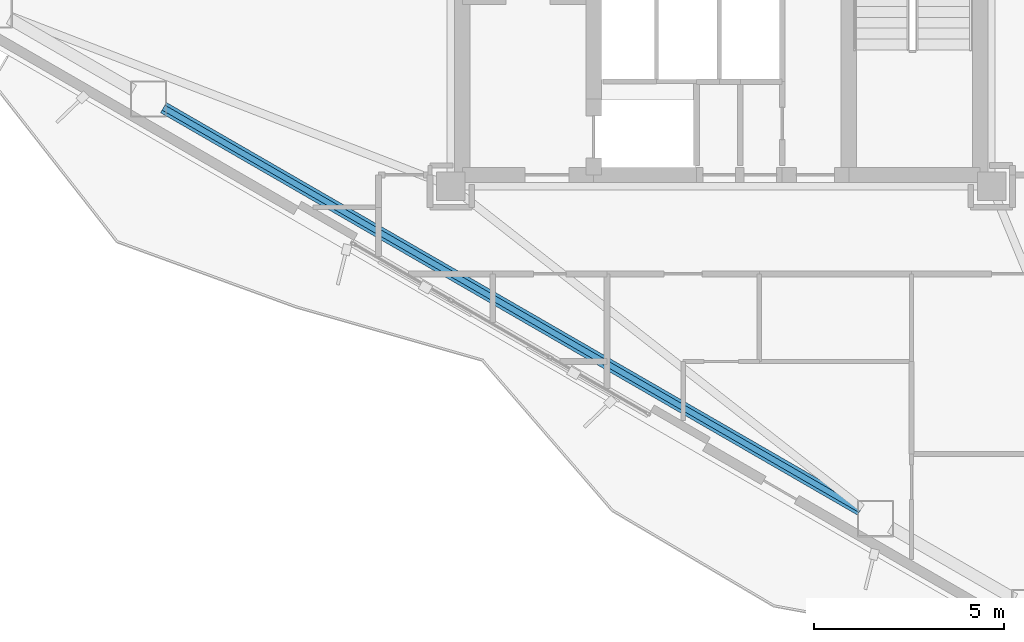
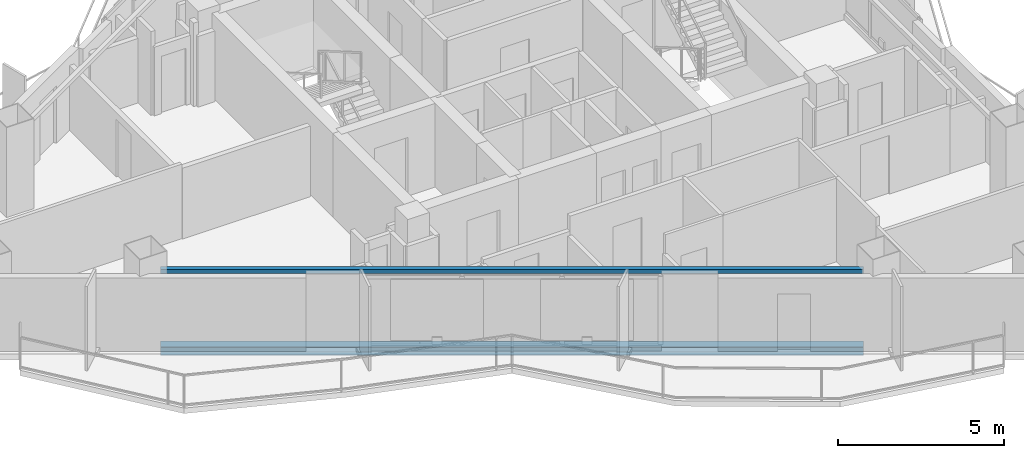
# One storey, part 3 of 21: 2 beams.
"""IFC4 building model written with IfcOpenShell, lengths in metres."""

from ifc_helpers import new_model, si_unit, direction, frame, origin, origin_2d, place, context, subcontext, project, spatial, hollow_rectangle, i_section, extrude, material, material_profile, profile_set, type_object, element, save


model = new_model("IFC4")

# Units and contexts
model_context = context("Model", 3, precision=1e-05, world=origin(), true_north=direction((0.0, 1.0)))
body_context = subcontext(model_context, "Body", "Model", "MODEL_VIEW")
ifc_project = project(units=[si_unit("LENGTHUNIT", "METRE"), si_unit("AREAUNIT", "SQUARE_METRE"), si_unit("VOLUMEUNIT", "CUBIC_METRE"), si_unit("PLANEANGLEUNIT", "RADIAN"), si_unit("MASSUNIT", "GRAM", prefix="KILO")], contexts=[model_context])

# Site, building, storey
site_placement = place(None, origin())
site = spatial("IfcSite", under=ifc_project, at=site_placement, CompositionType="ELEMENT")
building_placement = place(site_placement, origin())
building = spatial("IfcBuilding", under=site, at=building_placement, Name="Mersakhor Tower and Convention Hall", CompositionType="ELEMENT")
storey_placement = place(building_placement, frame((0.0, 0.0, 178.800048828125)))
storey = spatial("IfcBuildingStorey", under=building, at=storey_placement, Name="L49", CompositionType="ELEMENT", Elevation=178.800048828125)

# Beams
ifc_material_1 = material(Name="Steel S355", Category="steel")
ifc_material_profile_1 = material_profile(ifc_material_1, hollow_rectangle(XDim=0.14990234375, YDim=0.14990234375, WallThickness=0.010009765625, at=origin_2d()), Name="SHS 150x150x10")
ifc_profile_set_1 = profile_set([ifc_material_profile_1], Name="Steel S355")
beam_type_1 = type_object("IfcBeamType", Name="BM-GRT-SHS150", PredefinedType="USERDEFINED", material=ifc_profile_set_1)
beam_1_placement = place(storey_placement, frame((32.65771484375, 11.949951171875, 2.47998046875), z_axis=(-0.866028813665, 0.499994093867, 0.0), x_axis=(-0.499994093867, -0.866028813665, 0.0)))
element("IfcBeam", 1, at=beam_1_placement, inside=storey, type_object=beam_type_1, Name="L49 Facade Support Girt GRT-F3", ObjectType="GIRT", PredefinedType="USERDEFINED", context=body_context, shape_type="SweptSolid", body=[
    extrude(hollow_rectangle(XDim=0.14990234375, YDim=0.14990234375, WallThickness=0.010009765625, at=origin_2d()), origin(), (0.0, 0.0, 1.0), 21.135498046875),
])
ifc_material_2 = material(Name="Steel S355", Category="steel")
ifc_material_profile_2 = material_profile(ifc_material_2, i_section(OverallWidth=0.30908203125, OverallDepth=0.320556640625, WebThickness=0.013916015625, FlangeThickness=0.021728515625, at=origin_2d()), Name="UC 305x305x137")
ifc_profile_set_2 = profile_set([ifc_material_profile_2], Name="Steel S355")
beam_type_2 = type_object("IfcBeamType", Name="BM-SPD-UC305", PredefinedType="SPANDREL", material=ifc_profile_set_2)
beam_2_placement = place(storey_placement, frame((32.65771484375, 11.949951171875, -0.39013671875), z_axis=(-0.866028813665, 0.499994093867, 0.0), x_axis=(-0.499994093867, -0.866028813665, 0.0)))
element("IfcBeam", 2, at=beam_2_placement, inside=storey, type_object=beam_type_2, Name="L49 Perimeter Spandrel Beam SPB-10", PredefinedType="SPANDREL", context=body_context, shape_type="SweptSolid", body=[
    extrude(i_section(OverallWidth=0.30908203125, OverallDepth=0.320556640625, WebThickness=0.013916015625, FlangeThickness=0.021728515625, at=origin_2d()), origin(), (0.0, 0.0, 1.0), 21.135498046875),
])

save(model, "model.ifc")
